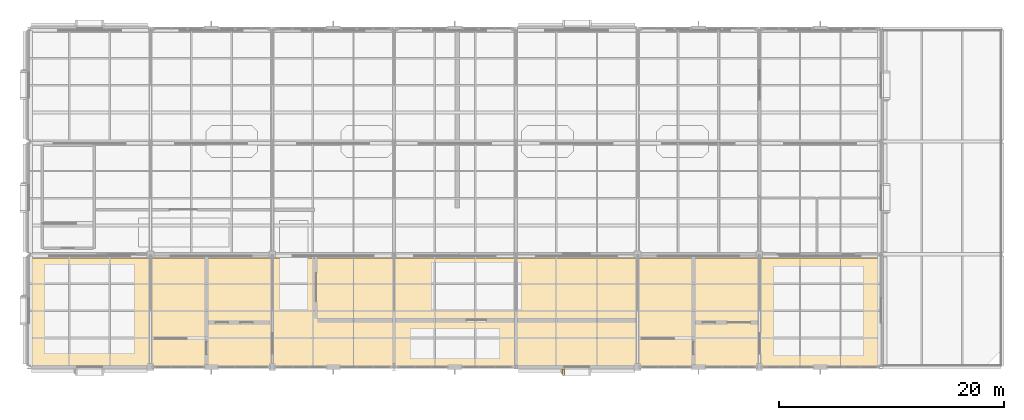
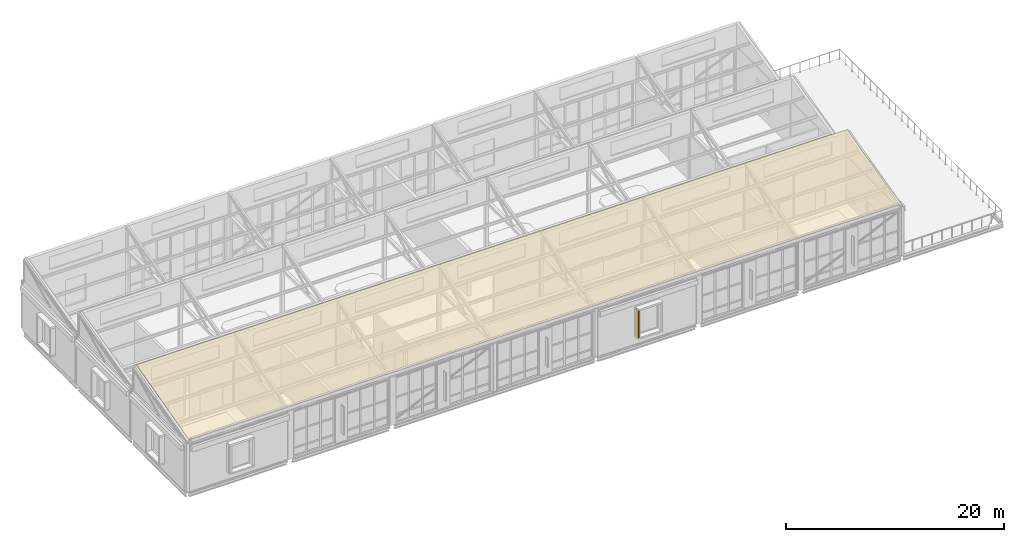
# One storey, part 44 of 49: 2 coverings.
"""IFC4 building model written with IfcOpenShell, lengths in metres."""

from ifc_helpers import new_model, si_unit, direction, frame, origin, origin_2d, place, context, subcontext, project, spatial, polyline, rectangle, outline, extrude, material, layer, layer_set, type_object, element, save


model = new_model("IFC4")

# Units and contexts
model_context = context("Model", 3, precision=1e-05, world=origin(), true_north=direction((0.0, 1.0)))
body_context = subcontext(model_context, "Body", "Model", "MODEL_VIEW")
ifc_project = project(units=[si_unit("LENGTHUNIT", "METRE"), si_unit("AREAUNIT", "SQUARE_METRE"), si_unit("VOLUMEUNIT", "CUBIC_METRE"), si_unit("PLANEANGLEUNIT", "RADIAN"), si_unit("MASSUNIT", "GRAM", prefix="KILO")], contexts=[model_context])

# Site, building, storey
site_placement = place(None, origin())
site = spatial("IfcSite", under=ifc_project, at=site_placement, CompositionType="ELEMENT")
building_placement = place(site_placement, origin())
building = spatial("IfcBuilding", under=site, at=building_placement, Name="Tasgan Crest Museum", CompositionType="ELEMENT")
storey_placement = place(building_placement, frame((0.0, 0.0, 28.800048828125)))
storey = spatial("IfcBuildingStorey", under=building, at=storey_placement, Name="L05", CompositionType="ELEMENT", Elevation=28.800048828125)

# Coverings
ifc_material_1 = material(Name="Honed Rose-Red Mongolian Granite", Category="masonry")
ifc_layer_1 = layer(ifc_material_1, 0.0400390625, Name="COV-GRANITE-ROSE")
ifc_layer_set_1 = layer_set([ifc_layer_1], Name="Honed Rose-Red Mongolian Granite")
covering_type_1 = type_object("IfcCoveringType", Name="COV-GRANITE-ROSE", PredefinedType="CLADDING", material=ifc_layer_set_1)
covering_1_placement = place(storey_placement, frame((47.409912109375, 81.534912109375, 1.0), z_axis=(0.0, 0.0, 1.0), x_axis=(1.0, 0.0, 0.0)))
element("IfcCovering", 1, at=covering_1_placement, inside=storey, type_object=covering_type_1, Name="Deep window reveal jamb L05-076", PredefinedType="CLADDING", context=body_context, shape_type="SweptSolid", body=[
    extrude(rectangle(XDim=0.179931640625, YDim=0.550048828125, at=origin_2d()), origin(), (0.0, 0.0, 1.0), 3.0),
])
ifc_material_2 = material(Name="Pre-weathered Standing-Seam Zinc")
ifc_layer_2 = layer(ifc_material_2, 0.030029296875, Name="COV-ROOF-ZINC")
ifc_layer_set_2 = layer_set([ifc_layer_2], Name="Pre-weathered Standing-Seam Zinc")
covering_type_2 = type_object("IfcCoveringType", Name="COV-ROOF-ZINC", PredefinedType="ROOFING", material=ifc_layer_set_2)
covering_2_placement = place(storey_placement, frame((0.199951171875, 82.10009765625, 5.639892578125), z_axis=(0.0, -0.262704113642, 0.964876442181), x_axis=(1.0, 0.0, 0.0)))
element("IfcCovering", 2, at=covering_2_placement, inside=storey, type_object=covering_type_2, Name="Sawtooth standing-seam zinc roofing B1", PredefinedType="ROOFING", context=body_context, shape_type="SweptSolid", body=[
    extrude(outline(polyline([(0.0, 0.0), (75.199951171875, 0.0), (75.199951171875, 9.897437920564782), (0.0, 9.897437920564782), (0.0, 0.0)])), origin(), (0.0, 0.0, -1.0), 0.030029296875),
])

save(model, "model.ifc")
